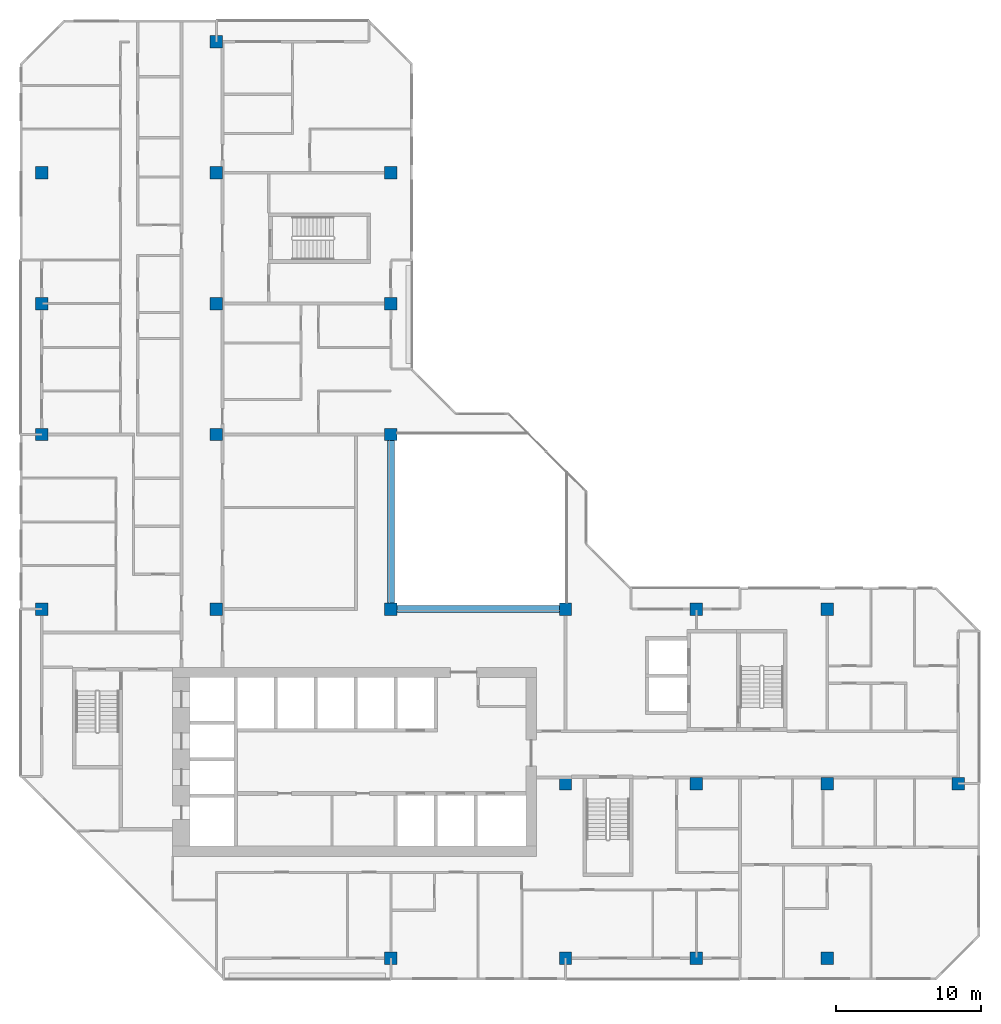
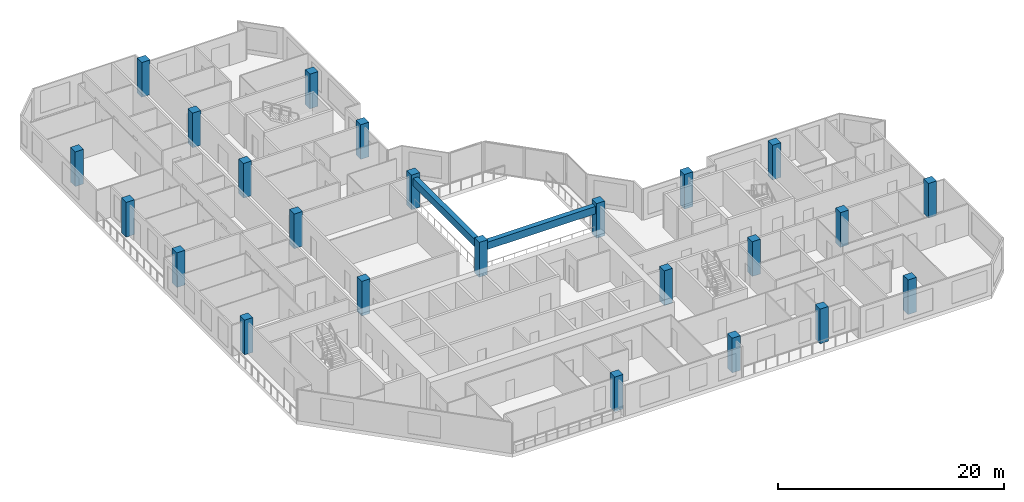
# One storey, part 1 of 15: 24 columns, 2 beams.
"""IFC4 building model written with IfcOpenShell, lengths in metres."""

from ifc_helpers import new_model, si_unit, direction, frame, origin, origin_2d, place, context, subcontext, project, spatial, rectangle, extrude, material, material_profile, profile_set, type_object, element, save


model = new_model("IFC4")

# Units and contexts
model_context = context("Model", 3, precision=1e-05, world=origin(), true_north=direction((0.0, 1.0)))
body_context = subcontext(model_context, "Body", "Model", "MODEL_VIEW")
ifc_project = project(units=[si_unit("LENGTHUNIT", "METRE"), si_unit("AREAUNIT", "SQUARE_METRE"), si_unit("VOLUMEUNIT", "CUBIC_METRE"), si_unit("PLANEANGLEUNIT", "RADIAN"), si_unit("MASSUNIT", "GRAM", prefix="KILO")], contexts=[model_context])

# Site, building, storey
site_placement = place(None, origin())
site = spatial("IfcSite", under=ifc_project, at=site_placement, CompositionType="ELEMENT")
building_placement = place(site_placement, origin())
building = spatial("IfcBuilding", under=site, at=building_placement, Name="Chenar Terraces", CompositionType="ELEMENT")
storey_placement = place(building_placement, frame((0.0, 0.0, 249.14990234375)))
storey = spatial("IfcBuildingStorey", under=building, at=storey_placement, Name="L59", CompositionType="ELEMENT", Elevation=249.14990234375)

# Columns
ifc_material_1 = material(Name="Concrete C60/75", Category="concrete")
ifc_material_profile_1 = material_profile(ifc_material_1, rectangle(XDim=0.85009765625, YDim=0.85009765625, at=origin_2d()), Name="C 850 x 850")
ifc_profile_set_1 = profile_set([ifc_material_profile_1], Name="Concrete C60/75")
column_type = type_object("IfcColumnType", Name="Column C 850 x 850 Concrete C60/75", PredefinedType="COLUMN", material=ifc_profile_set_1)
column_1_placement = place(storey_placement, frame((0.0, 24.0, 0.0), z_axis=(0.0, 0.0, 1.0), x_axis=(1.0, 0.0, 0.0)))
element("IfcColumn", 1, at=column_1_placement, inside=storey, type_object=column_type, Name="Column 5/G L59", PredefinedType="COLUMN", context=body_context, shape_type="SweptSolid", body=[
    extrude(rectangle(XDim=0.85009765625, YDim=0.85009765625, at=origin_2d()), origin(), (0.0, 0.0, 1.0), 3.75),
])
column_2_placement = place(storey_placement, frame((0.0, 36.0, 0.0), z_axis=(0.0, 0.0, 1.0), x_axis=(1.0, 0.0, 0.0)))
element("IfcColumn", 2, at=column_2_placement, inside=storey, type_object=column_type, Name="Column 5/H L59", PredefinedType="COLUMN", context=body_context, shape_type="SweptSolid", body=[
    extrude(rectangle(XDim=0.85009765625, YDim=0.85009765625, at=origin_2d()), origin(), (0.0, 0.0, 1.0), 3.75),
])
for number, where, z_axis, x_axis, name in (
    (3, (0.0, 45.0, 0.0), (0.0, 0.0, 1.0), (1.0, 0.0, 0.0), "Column 5/J L59"),
    (4, (0.0, 54.0, 0.0), (0.0, 0.0, 1.0), (1.0, 0.0, 0.0), "Column 5/K L59"),
    (5, (12.0, 24.0, 0.0), (0.0, 0.0, 1.0), (1.0, 0.0, 0.0), "Column 6/G L59"),
    (6, (12.0, 36.0, 0.0), (0.0, 0.0, 1.0), (1.0, 0.0, 0.0), "Column 6/H L59"),
    (7, (12.0, 45.0, 0.0), (0.0, 0.0, 1.0), (1.0, 0.0, 0.0), "Column 6/J L59"),
    (8, (12.0, 54.0, 0.0), (0.0, 0.0, 1.0), (1.0, 0.0, 0.0), "Column 6/K L59"),
    (9, (12.0, 63.0, 0.0), (0.0, 0.0, 1.0), (1.0, 0.0, 0.0), "Column 6/L L59"),
    (10, (24.0, 0.0, 0.0), (0.0, 0.0, 1.0), (1.0, 0.0, 0.0), "Column 7/E L59"),
    (11, (24.0, 24.0, 0.0), (0.0, 0.0, 1.0), (1.0, 0.0, 0.0), "Column 7/G L59"),
    (12, (24.0, 36.0, 0.0), (0.0, 0.0, 1.0), (1.0, 0.0, 0.0), "Column 7/H L59"),
    (13, (24.0, 45.0, 0.0), (0.0, 0.0, 1.0), (1.0, 0.0, 0.0), "Column 7/J L59"),
    (14, (24.0, 54.0, 0.0), (0.0, 0.0, 1.0), (1.0, 0.0, 0.0), "Column 7/K L59"),
    (15, (36.0, 0.0, 0.0), (0.0, 0.0, 1.0), (1.0, 0.0, 0.0), "Column 8/E L59"),
    (16, (36.0, 12.0, 0.0), (0.0, 0.0, 1.0), (1.0, 0.0, 0.0), "Column 8/F L59"),
    (17, (36.0, 24.0, 0.0), (0.0, 0.0, 1.0), (1.0, 0.0, 0.0), "Column 8/G L59"),
    (18, (45.0, 0.0, 0.0), (0.0, 0.0, 1.0), (1.0, 0.0, 0.0), "Column 9/E L59"),
    (19, (45.0, 12.0, 0.0), (0.0, 0.0, 1.0), (1.0, 0.0, 0.0), "Column 9/F L59"),
    (20, (45.0, 24.0, 0.0), (0.0, 0.0, 1.0), (1.0, 0.0, 0.0), "Column 9/G L59"),
    (21, (54.0, 0.0, 0.0), (0.0, 0.0, 1.0), (1.0, 0.0, 0.0), "Column 10/E L59"),
    (22, (54.0, 12.0, 0.0), (0.0, 0.0, 1.0), (1.0, 0.0, 0.0), "Column 10/F L59"),
    (23, (54.0, 24.0, 0.0), (0.0, 0.0, 1.0), (1.0, 0.0, 0.0), "Column 10/G L59"),
    (24, (63.0, 12.0, 0.0), (0.0, 0.0, 1.0), (1.0, 0.0, 0.0), "Column 11/F L59"),
):
    element("IfcColumn", number, at=place(storey_placement, frame(where, z_axis=z_axis, x_axis=x_axis)), inside=storey, type_object=column_type, Name=name, PredefinedType="COLUMN", context=body_context, shape_type="SweptSolid", body=[
        extrude(rectangle(XDim=0.85009765625, YDim=0.85009765625, at=origin_2d()), origin(), (0.0, 0.0, 1.0), 3.75),
    ])

# Beams
ifc_material_2 = material(Name="Concrete C40/50", Category="concrete")
ifc_material_profile_2 = material_profile(ifc_material_2, rectangle(XDim=0.5, YDim=0.800048828125, at=origin_2d()), Name="RC 500 x 800")
ifc_profile_set_2 = profile_set([ifc_material_profile_2], Name="Concrete C40/50")
beam_type = type_object("IfcBeamType", Name="Atrium edge beam 500 x 800 Concrete C40/50", PredefinedType="BEAM", material=ifc_profile_set_2)
for number, where, z_axis, x_axis, name in (
    (25, (24.425048828125, 24.0, 2.9501953125), (1.0, 0.0, 0.0), (0.0, 1.0, 0.0), "Atrium edge beam L60 1"),
    (26, (24.0, 35.574951171875, 2.9501953125), (0.0, -1.0, 0.0), (1.0, 0.0, 0.0), "Atrium edge beam L60 4"),
):
    element("IfcBeam", number, at=place(storey_placement, frame(where, z_axis=z_axis, x_axis=x_axis)), inside=storey, type_object=beam_type, Name=name, PredefinedType="BEAM", context=body_context, shape_type="SweptSolid", body=[
        extrude(rectangle(XDim=0.5, YDim=0.800048828125, at=origin_2d()), origin(), (0.0, 0.0, 1.0), 11.14990234375),
    ])

save(model, "model.ifc")
